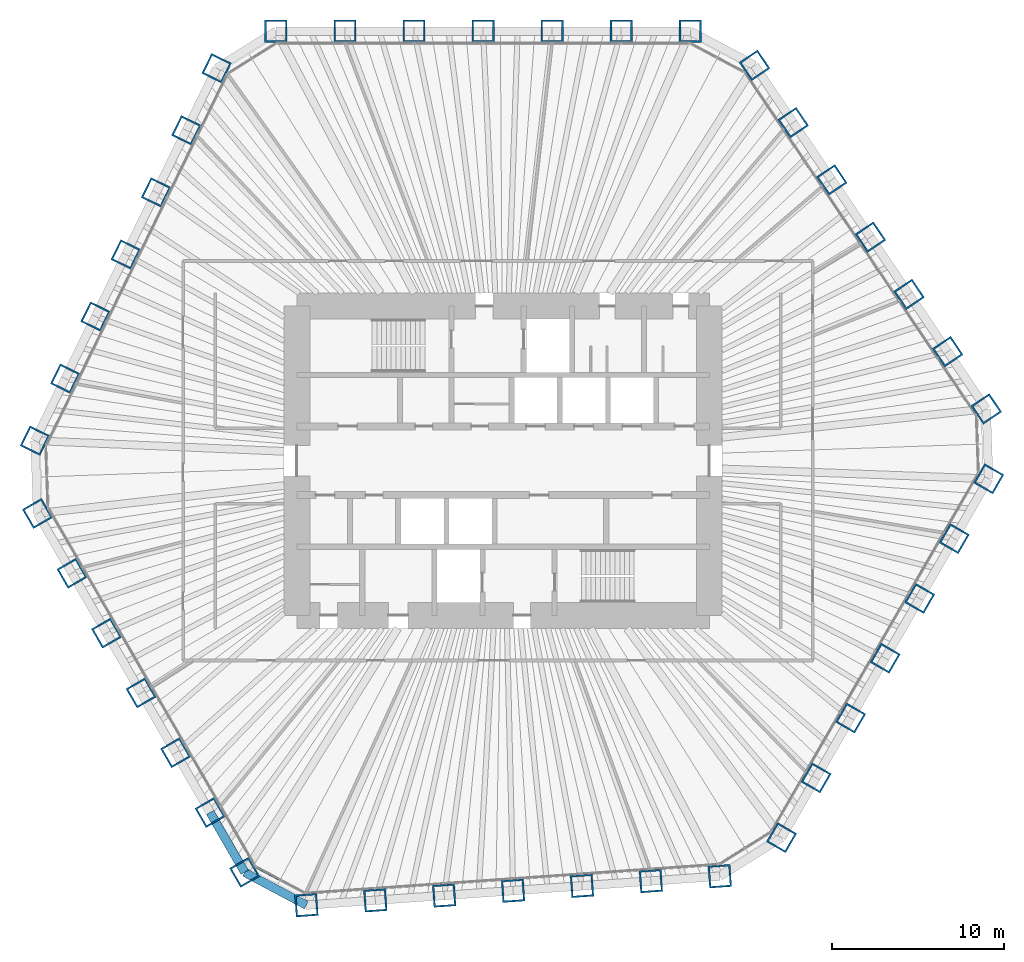
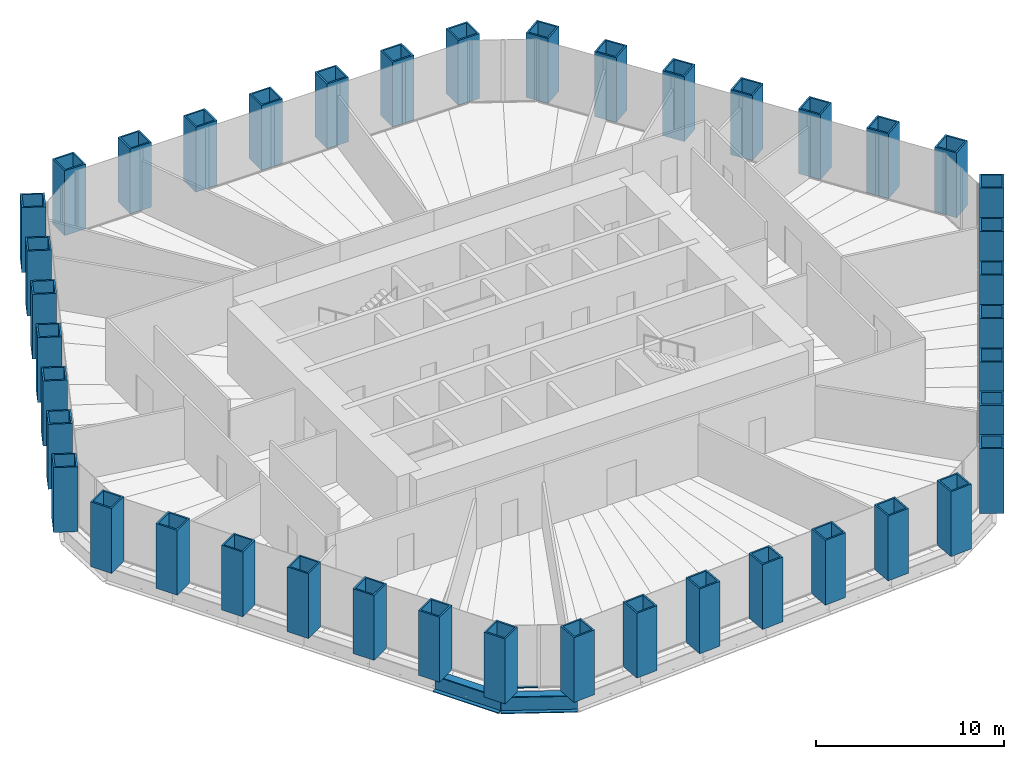
# One storey, part 1 of 13: 42 columns, 2 beams, 1 member, 1 element without a shape of its own.
"""IFC4 building model written with IfcOpenShell, lengths in metres."""

from ifc_helpers import new_model, si_unit, direction, frame, origin, origin_2d, place, context, subcontext, project, spatial, rectangle, hollow_rectangle, i_section, extrude, material, material_profile, profile_set, type_object, element, aggregate, save


model = new_model("IFC4")

# Units and contexts
model_context = context("Model", 3, precision=1e-05, world=origin(), true_north=direction((0.0, 1.0)))
body_context = subcontext(model_context, "Body", "Model", "MODEL_VIEW")
ifc_project = project(units=[si_unit("LENGTHUNIT", "METRE"), si_unit("AREAUNIT", "SQUARE_METRE"), si_unit("VOLUMEUNIT", "CUBIC_METRE"), si_unit("PLANEANGLEUNIT", "RADIAN"), si_unit("MASSUNIT", "GRAM", prefix="KILO")], contexts=[model_context])

# Site, building, storey
site_placement = place(None, origin())
site = spatial("IfcSite", under=ifc_project, at=site_placement, CompositionType="ELEMENT")
building_placement = place(site_placement, origin())
building = spatial("IfcBuilding", under=site, at=building_placement, Name="Qingtian Harvest Tower", CompositionType="ELEMENT")
storey_placement = place(building_placement, frame((0.0, 0.0, 149.199951171875)))
storey = spatial("IfcBuildingStorey", under=building, at=storey_placement, Name="L31", CompositionType="ELEMENT", Elevation=149.199951171875)

# Columns
ifc_material_1 = material(Name="Steel SM570MC", Category="steel")
ifc_material_profile_1 = material_profile(ifc_material_1, hollow_rectangle(XDim=1.300048828125, YDim=1.300048828125, WallThickness=0.10009765625, at=origin_2d()), Name="BOX1300x1300x100")
ifc_profile_set_1 = profile_set([ifc_material_profile_1], Name="Steel SM570MC")
column_type = type_object("IfcColumnType", Name="Tube column TC4 BOX1300x1300x100", PredefinedType="COLUMN", material=ifc_profile_set_1)
for number, where, z_axis, x_axis, name in (
    (1, (-13.2216796875, 25.0, 0.0), (0.0, 0.0, 1.0), (-1.0, 0.0, 0.0), "Tube column TC4 N0"),
    (2, (-9.20263671875, 25.0, 0.0), (0.0, 0.0, 1.0), (-1.0, 0.0, 0.0), "Tube column TC4 N1"),
    (3, (-5.18359375, 25.0, 0.0), (0.0, 0.0, 1.0), (-1.0, 0.0, 0.0), "Tube column TC4 N2"),
    (4, (-1.16455078125, 25.0, 0.0), (0.0, 0.0, 1.0), (-1.0, 0.0, 0.0), "Tube column TC4 N3"),
    (5, (2.8544921875, 25.0, 0.0), (0.0, 0.0, 1.0), (-1.0, 0.0, 0.0), "Tube column TC4 N4"),
    (6, (6.873779296875, 25.0, 0.0), (0.0, 0.0, 1.0), (-1.0, 0.0, 0.0), "Tube column TC4 N5"),
    (7, (10.892822265625, 25.0, 0.0), (0.0, 0.0, 1.0), (-1.0, 0.0, 0.0), "Tube column TC4 N6"),
    (8, (14.634765625, 23.01025390625, 0.0), (0.0, 0.0, 1.0), (-0.559192903471, 0.829037572555, 0.0), "Tube column TC4 NE0"),
    (9, (16.88232421875, 19.67822265625, 0.0), (0.0, 0.0, 1.0), (-0.559192903471, 0.829037572555, 0.0), "Tube column TC4 NE1"),
    (10, (19.129638671875, 16.346435546875, 0.0), (0.0, 0.0, 1.0), (-0.559192903471, 0.829037572555, 0.0), "Tube column TC4 NE2"),
    (11, (21.377197265625, 13.014404296875, 0.0), (0.0, 0.0, 1.0), (-0.559192903471, 0.829037572555, 0.0), "Tube column TC4 NE3"),
    (12, (23.62451171875, 9.682373046875, 0.0), (0.0, 0.0, 1.0), (-0.559192903471, 0.829037572555, 0.0), "Tube column TC4 NE4"),
    (13, (25.8720703125, 6.3505859375, 0.0), (0.0, 0.0, 1.0), (-0.559192903471, 0.829037572555, 0.0), "Tube column TC4 NE5"),
    (14, (28.119384765625, 3.0185546875, 0.0), (0.0, 0.0, 1.0), (-0.559192903471, 0.829037572555, 0.0), "Tube column TC4 NE6"),
    (15, (28.261474609375, -1.049560546875, 0.0), (0.0, 0.0, 1.0), (0.5, 0.866025403784, 0.0), "Tube column TC4 SE0"),
    (16, (26.251953125, -4.5302734375, 0.0), (0.0, 0.0, 1.0), (0.5, 0.866025403784, 0.0), "Tube column TC4 SE1"),
    (17, (24.242431640625, -8.010986328125, 0.0), (0.0, 0.0, 1.0), (0.5, 0.866025403784, 0.0), "Tube column TC4 SE2"),
    (18, (22.23291015625, -11.491455078125, 0.0), (0.0, 0.0, 1.0), (0.5, 0.866025403784, 0.0), "Tube column TC4 SE3"),
    (19, (20.223388671875, -14.97216796875, 0.0), (0.0, 0.0, 1.0), (0.5, 0.866025403784, 0.0), "Tube column TC4 SE4"),
    (20, (18.2138671875, -18.452880859375, 0.0), (0.0, 0.0, 1.0), (0.5, 0.866025403784, 0.0), "Tube column TC4 SE5"),
    (21, (16.204345703125, -21.933349609375, 0.0), (0.0, 0.0, 1.0), (0.5, 0.866025403784, 0.0), "Tube column TC4 SE6"),
    (22, (12.610107421875, -24.17919921875, 0.0), (0.0, 0.0, 1.0), (0.99756405026, 0.069756473744, 0.0), "Tube column TC4 S0"),
    (23, (8.600830078125, -24.459716796875, 0.0), (0.0, 0.0, 1.0), (0.99756405026, 0.069756473744, 0.0), "Tube column TC4 S1"),
    (24, (4.591552734375, -24.739990234375, 0.0), (0.0, 0.0, 1.0), (0.99756405026, 0.069756473744, 0.0), "Tube column TC4 S2"),
    (25, (0.582275390625, -25.020263671875, 0.0), (0.0, 0.0, 1.0), (0.99756405026, 0.069756473744, 0.0), "Tube column TC4 S3"),
    (26, (-3.427001953125, -25.30078125, 0.0), (0.0, 0.0, 1.0), (0.99756405026, 0.069756473744, 0.0), "Tube column TC4 S4"),
    (27, (-7.436279296875, -25.5810546875, 0.0), (0.0, 0.0, 1.0), (0.99756405026, 0.069756473744, 0.0), "Tube column TC4 S5"),
    (28, (-11.445556640625, -25.861328125, 0.0), (0.0, 0.0, 1.0), (0.99756405026, 0.069756473744, 0.0), "Tube column TC4 S6"),
    (29, (-15.039794921875, -23.950439453125, 0.0), (0.0, 0.0, 1.0), (0.5, -0.866025403784, 0.0), "Tube column TC4 SW0"),
    (30, (-17.04931640625, -20.4697265625, 0.0), (0.0, 0.0, 1.0), (0.5, -0.866025403784, 0.0), "Tube column TC4 SW1"),
    (31, (-19.058837890625, -16.989013671875, 0.0), (0.0, 0.0, 1.0), (0.5, -0.866025403784, 0.0), "Tube column TC4 SW2"),
    (32, (-21.068359375, -13.508544921875, 0.0), (0.0, 0.0, 1.0), (0.5, -0.866025403784, 0.0), "Tube column TC4 SW3"),
    (33, (-23.077880859375, -10.02783203125, 0.0), (0.0, 0.0, 1.0), (0.5, -0.866025403784, 0.0), "Tube column TC4 SW4"),
    (34, (-25.08740234375, -6.547119140625, 0.0), (0.0, 0.0, 1.0), (0.5, -0.866025403784, 0.0), "Tube column TC4 SW5"),
    (35, (-27.096923828125, -3.066650390625, 0.0), (0.0, 0.0, 1.0), (0.5, -0.866025403784, 0.0), "Tube column TC4 SW6"),
    (36, (-27.244873046875, 1.1689453125, 0.0), (0.0, 0.0, 1.0), (-0.438371146789, -0.898794046299, 0.0), "Tube column TC4 NW0"),
    (37, (-25.483154296875, 4.78125, 0.0), (0.0, 0.0, 1.0), (-0.438371146789, -0.898794046299, 0.0), "Tube column TC4 NW1"),
    (38, (-23.72119140625, 8.3935546875, 0.0), (0.0, 0.0, 1.0), (-0.438371146789, -0.898794046299, 0.0), "Tube column TC4 NW2"),
    (39, (-21.95947265625, 12.005859375, 0.0), (0.0, 0.0, 1.0), (-0.438371146789, -0.898794046299, 0.0), "Tube column TC4 NW3"),
    (40, (-20.197509765625, 15.6181640625, 0.0), (0.0, 0.0, 1.0), (-0.438371146789, -0.898794046299, 0.0), "Tube column TC4 NW4"),
    (41, (-18.435791015625, 19.23046875, 0.0), (0.0, 0.0, 1.0), (-0.438371146789, -0.898794046299, 0.0), "Tube column TC4 NW5"),
    (42, (-16.673828125, 22.8427734375, 0.0), (0.0, 0.0, 1.0), (-0.438371146789, -0.898794046299, 0.0), "Tube column TC4 NW6"),
):
    element("IfcColumn", number, at=place(storey_placement, frame(where, z_axis=z_axis, x_axis=x_axis)), inside=storey, type_object=column_type, Name=name, PredefinedType="COLUMN", context=body_context, shape_type="SweptSolid", body=[
        extrude(hollow_rectangle(XDim=1.300048828125, YDim=1.300048828125, WallThickness=0.10009765625, at=origin_2d()), origin(), (0.0, 0.0, 1.0), 4.199951171875),
    ])

# Beams
ifc_material_2 = material(Name="Steel SM570MC", Category="steel")
ifc_material_profile_2 = material_profile(ifc_material_2, i_section(OverallWidth=0.5, OverallDepth=1.10009765625, WebThickness=0.02490234375, FlangeThickness=0.050048828125, at=origin_2d()), Name="H1100x500x25x50")
ifc_profile_set_2 = profile_set([ifc_material_profile_2], Name="Steel SM570MC")
beam_type = type_object("IfcBeamType", Name="Spandrel beam SB2 H1100x500x25x50", PredefinedType="SPANDREL", material=ifc_profile_set_2)
beam_1_placement = place(storey_placement, frame((-11.445556640625, -25.861328125, -0.550048828125), z_axis=(-0.882968133669, 0.469432929101, 0.0), x_axis=(-0.469432929101, -0.882968133669, 0.0)))
element("IfcBeam", 43, at=beam_1_placement, inside=storey, type_object=beam_type, Name="Spandrel SB2 SC", PredefinedType="SPANDREL", context=body_context, shape_type="SweptSolid", body=[
    extrude(i_section(OverallWidth=0.5, OverallDepth=1.10009765625, WebThickness=0.02490234375, FlangeThickness=0.050048828125, at=origin_2d()), origin(), (0.0, 0.0, 1.0), 4.070556640625),
])
beam_2_placement = place(storey_placement, frame((-15.039794921875, -23.950439453125, -0.550048828125), z_axis=(-0.499987116613, 0.866032841884, 0.0), x_axis=(-0.866032841884, -0.499987116613, 0.0)))
element("IfcBeam", 44, at=beam_2_placement, inside=storey, type_object=beam_type, Name="Spandrel SB2 SW0", PredefinedType="SPANDREL", context=body_context, shape_type="SweptSolid", body=[
    extrude(i_section(OverallWidth=0.5, OverallDepth=1.10009765625, WebThickness=0.02490234375, FlangeThickness=0.050048828125, at=origin_2d()), origin(), (0.0, 0.0, 1.0), 4.01904296875),
])

# Curtain wall, member
ifc_material_3 = material(Name="Bronze-anodised aluminium curtain wall", Category="aluminium")
curtain_wall_type = type_object("IfcCurtainWallType", Name="Curtain wall CW4 office", PredefinedType="USERDEFINED", material=ifc_material_3)
curtain_wall_placement = place(storey_placement, origin())
curtain_wall = element("IfcCurtainWall", 45, at=curtain_wall_placement, inside=storey, type_object=curtain_wall_type, Name="Curtain wall CW4 L31 SC", ObjectType="RECESSED CURTAIN WALL", PredefinedType="USERDEFINED")
ifc_material_4 = material(Name="Bronze-anodised aluminium transom", Category="aluminium")
ifc_material_profile_3 = material_profile(ifc_material_4, rectangle(XDim=0.14990234375, YDim=0.06494140625, at=origin_2d()), Name="AL 65x150")
ifc_profile_set_3 = profile_set([ifc_material_profile_3], Name="Bronze-anodised aluminium transom")
member_type = type_object("IfcMemberType", Name="Transom CWT 65x150", PredefinedType="USERDEFINED", material=ifc_profile_set_3)
member_placement = place(storey_placement, frame((-12.99267578125, -24.366455078125, 0.032470703125), z_axis=(-0.882960338349, 0.46944759122, 0.0), x_axis=(-0.46944759122, -0.882960338349, 0.0)))
member = element("IfcMember", 46, at=member_placement, type_object=member_type, Name="CW4 transom 2.1", ObjectType="TRANSOM", PredefinedType="USERDEFINED", context=body_context, shape_type="SweptSolid", body=[
    extrude(rectangle(XDim=0.14990234375, YDim=0.06494140625, at=origin_2d()), origin(), (0.0, 0.0, 1.0), 1.56689453125),
])
aggregate(curtain_wall, [member])

save(model, "model.ifc")
